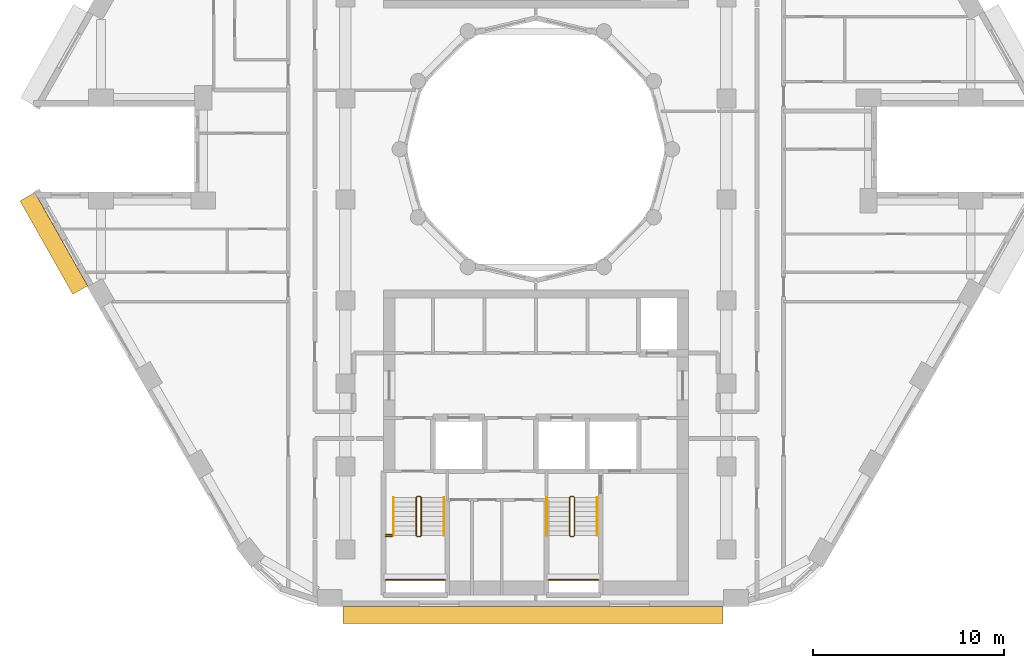
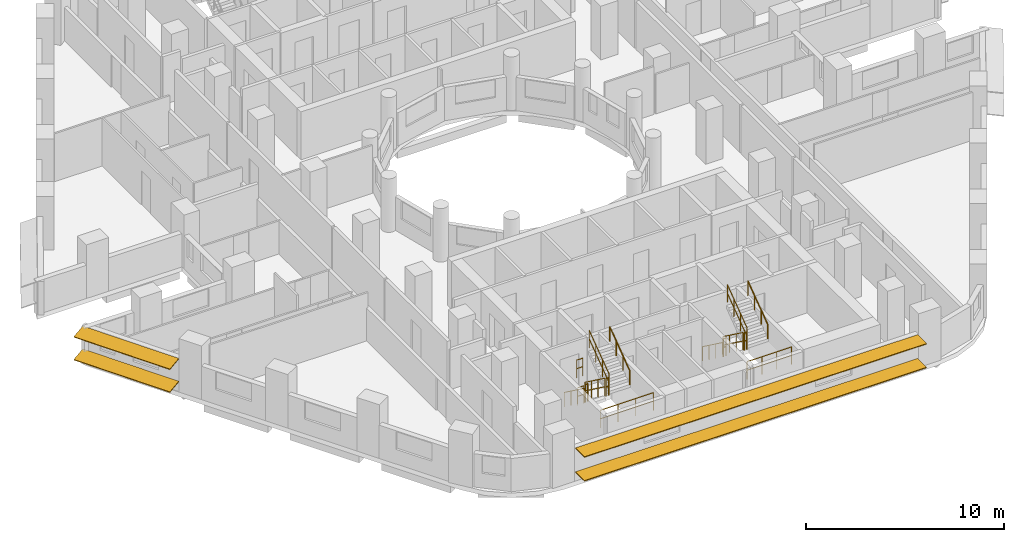
# One storey, part 12 of 14: 16 railings, 4 shading devices.
"""IFC4 building model written with IfcOpenShell, lengths in metres."""

import ifcopenshell
import ifcopenshell.guid

model = None  # the IFC model being written
_history = None  # IfcOwnerHistory: only IFC2X3 demands one
_inside = {}  # id of a spatial element -> (the spatial element, [elements in it])
_under = {}  # id of a project, library or spatial element -> (it, [spatial elements below it])
_declared = {}  # id of a project -> (the project, [libraries it declares])
_typed = {}  # id of a type object -> (the type object, [elements of that type])
_made_of = {}  # id of a material, layer set ... -> (it, [elements and type objects made of it])


def new_model(schema):
    """Start an empty IFC model of exactly this schema.

    Asked for "IFC4X3", IfcOpenShell would pick the latest addendum, in which some entities
    have other attributes; the version numbers below select the first issue.
    IFC2X3 requires an IfcOwnerHistory on every rooted entity: one is made here for all.
    """
    global model, _history
    if schema == "IFC4X3":
        model = ifcopenshell.file(schema_version=(4, 3, 0, 0))
    else:
        model = ifcopenshell.file(schema=schema)
    _inside.clear()
    _under.clear()
    _declared.clear()
    _typed.clear()
    _made_of.clear()
    _history = None
    if model.schema == "IFC2X3":
        org = make("IfcOrganization", Name="unknown")
        user = make(
            "IfcPersonAndOrganization",
            ThePerson=make("IfcPerson", FamilyName="unknown"),
            TheOrganization=org,
        )
        app = make(
            "IfcApplication",
            ApplicationDeveloper=org,
            Version="unknown",
            ApplicationFullName="unknown",
            ApplicationIdentifier="unknown",
        )
        _history = make(
            "IfcOwnerHistory",
            OwningUser=user,
            OwningApplication=app,
            ChangeAction="ADDED",
            CreationDate=0,
        )
    return model


def make(cls, **values):
    """One entity of the class cls with the attributes given. An attribute that is None is left unset."""
    return model.create_entity(
        cls, **{name: value for name, value in values.items() if value is not None}
    )


def rooted(cls, **values):
    """An entity with a GlobalId (a new one), such as an element, a storey or a relation."""
    return make(cls, GlobalId=ifcopenshell.guid.new(), OwnerHistory=_history, **values)


def si_unit(unit_type, name, prefix=None):
    """IfcSIUnit, for example si_unit("LENGTHUNIT", "METRE", prefix="MILLI")."""
    return make("IfcSIUnit", UnitType=unit_type, Prefix=prefix, Name=name)


def assignment(units):
    """IfcUnitAssignment: the units of a project."""
    return None if units is None else make("IfcUnitAssignment", Units=units)


def point(xyz):
    """IfcCartesianPoint."""
    return None if xyz is None else make("IfcCartesianPoint", Coordinates=xyz)


def direction(xyz):
    """IfcDirection."""
    return None if xyz is None else make("IfcDirection", DirectionRatios=xyz)


def frame(location, z_axis=None, x_axis=None):
    """IfcAxis2Placement3D, a coordinate frame: its origin and axes. An axis left out is left unset."""
    return make(
        "IfcAxis2Placement3D",
        Location=point(location),
        Axis=direction(z_axis),
        RefDirection=direction(x_axis),
    )


def frame_2d(location, x_axis=None):
    """IfcAxis2Placement2D, a coordinate frame in the plane: its origin and x axis."""
    return make(
        "IfcAxis2Placement2D", Location=point(location), RefDirection=direction(x_axis)
    )


def origin():
    """The frame at (0, 0, 0) with its axes left unset."""
    return frame((0.0, 0.0, 0.0))


def origin_2d():
    """The frame at (0, 0) in the plane with its x axis left unset."""
    return frame_2d((0.0, 0.0))


def place(relative_to, where):
    """IfcLocalPlacement: puts the frame where relative to a parent placement (None: the world)."""
    return make(
        "IfcLocalPlacement", PlacementRelTo=relative_to, RelativePlacement=where
    )


def context(
    kind, dimensions, precision=None, world=None, true_north=None, identifier=None
):
    """IfcGeometricRepresentationContext, for example the 3D "Model" context."""
    return make(
        "IfcGeometricRepresentationContext",
        ContextIdentifier=identifier,
        ContextType=kind,
        CoordinateSpaceDimension=dimensions,
        Precision=precision,
        WorldCoordinateSystem=world,
        TrueNorth=true_north,
    )


def subcontext(parent, identifier, kind, view, scale=None):
    """IfcGeometricRepresentationSubContext, for example "Body" below "Model"."""
    return make(
        "IfcGeometricRepresentationSubContext",
        ContextIdentifier=identifier,
        ContextType=kind,
        ParentContext=parent,
        TargetScale=scale,
        TargetView=view,
    )


def project(units=None, contexts=None):
    """IfcProject with its units and contexts."""
    return rooted(
        "IfcProject",
        Name="project",
        RepresentationContexts=contexts,
        UnitsInContext=assignment(units),
    )


def spatial(cls, under=None, at=None, **own):
    """A site, building, storey or space (cls), placed at a placement, below another one or the project."""
    s = rooted(cls, ObjectPlacement=at, **own)
    if under is not None:
        _under.setdefault(under.id(), (under, []))[1].append(s)
    return s


def profile(cls, at=None, kind="AREA", **sizes):
    """A parametric profile (cls). Its sizes go by their IFC names, for example OverallWidth=200.0."""
    return make(cls, ProfileType=kind, Position=at, **sizes)


def rectangle(**sizes):
    """IfcRectangleProfileDef."""
    return profile("IfcRectangleProfileDef", **sizes)


def circle(**sizes):
    """IfcCircleProfileDef."""
    return profile("IfcCircleProfileDef", **sizes)


def extrude(swept, where, along, depth):
    """IfcExtrudedAreaSolid: the profile swept, set in the frame where, extruded along a direction by depth."""
    return make(
        "IfcExtrudedAreaSolid",
        SweptArea=swept,
        Position=where,
        ExtrudedDirection=direction(along),
        Depth=depth,
    )


def shape(context_of_items, identifier, shape_type, items):
    """IfcShapeRepresentation: the items that make up one representation, for example the "Body"."""
    return make(
        "IfcShapeRepresentation",
        ContextOfItems=context_of_items,
        RepresentationIdentifier=identifier,
        RepresentationType=shape_type,
        Items=items,
    )


def material(Name=None, Category=None):
    """IfcMaterial."""
    return make("IfcMaterial", Name=Name, Category=Category)


def material_profile(
    of_material, cross_section, Name=None, Category=None, Priority=None
):
    """IfcMaterialProfile: a cross section and its material."""
    return make(
        "IfcMaterialProfile",
        Name=Name,
        Material=of_material,
        Profile=cross_section,
        Priority=Priority,
        Category=Category,
    )


def profile_set(profiles, Name=None, composite=None):
    """IfcMaterialProfileSet."""
    return make(
        "IfcMaterialProfileSet",
        Name=Name,
        MaterialProfiles=profiles,
        CompositeProfile=composite,
    )


def made_of(thing, what):
    """Note that an element or type object is made of a material, layer set ...; save() writes the relation."""
    if what is not None:
        _made_of.setdefault(what.id(), (what, []))[1].append(thing)
    return thing


def type_object(cls, material=None, **own):
    """A type object (cls), such as IfcWallType, which elements share."""
    return made_of(rooted(cls, **own), material)


def element(
    cls,
    number,
    at=None,
    inside=None,
    cuts=None,
    type_object=None,
    material=None,
    context=None,
    identifier="Body",
    shape_type=None,
    held_by="IfcProductDefinitionShape",
    body=None,
    shapes=None,
    **own,
):
    """One element of the class cls, such as IfcWall. Its Tag is "e" and its number.

    at: its placement. inside: the storey or other place that contains it. cuts: it is an
    opening in that element (IfcRelVoidsElement). A single representation is given by context,
    identifier, shape_type and body (its items); several are given by shapes. held_by: the class
    of the entity that holds the representations. save() writes the other relations.
    """
    e = rooted(cls, Tag="e%d" % number, ObjectPlacement=at, **own)
    if body is not None:
        shapes = [shape(context, identifier, shape_type, body)]
    if shapes is not None:
        e.Representation = make(held_by, Representations=shapes)
    if inside is not None:
        _inside.setdefault(inside.id(), (inside, []))[1].append(e)
    if cuts is not None:
        rooted(
            "IfcRelVoidsElement", RelatingBuildingElement=cuts, RelatedOpeningElement=e
        )
    if type_object is not None:
        _typed.setdefault(type_object.id(), (type_object, []))[1].append(e)
    return made_of(e, material)


def aggregate(whole, parts):
    """IfcRelAggregates: a whole, such as a stair, and the parts it consists of."""
    return rooted("IfcRelAggregates", RelatingObject=whole, RelatedObjects=parts)


def save(model, path):
    """Write the relations noted so far, then the file.

    IfcRelAggregates (storeys below a building ...), IfcRelContainedInSpatialStructure (elements
    in a storey), IfcRelDefinesByType, IfcRelAssociatesMaterial and IfcRelDeclares: one each for
    every whole, place, type object, material and project.
    """
    for whole, parts in _under.values():
        aggregate(whole, parts)
    for where, things in _inside.values():
        rooted(
            "IfcRelContainedInSpatialStructure",
            RelatedElements=things,
            RelatingStructure=where,
        )
    for kind, things in _typed.values():
        rooted("IfcRelDefinesByType", RelatedObjects=things, RelatingType=kind)
    for what, things in _made_of.values():
        rooted("IfcRelAssociatesMaterial", RelatedObjects=things, RelatingMaterial=what)
    for by, libraries in _declared.values():
        rooted("IfcRelDeclares", RelatingContext=by, RelatedDefinitions=libraries)
    model.write(path)


model = new_model("IFC4")

# Units and contexts
model_context = context("Model", 3, precision=1e-05, world=origin(), true_north=direction((0.0, 1.0)))
body_context = subcontext(model_context, "Body", "Model", "MODEL_VIEW")
ifc_project = project(units=[si_unit("LENGTHUNIT", "METRE"), si_unit("AREAUNIT", "SQUARE_METRE"), si_unit("VOLUMEUNIT", "CUBIC_METRE"), si_unit("PLANEANGLEUNIT", "RADIAN"), si_unit("MASSUNIT", "GRAM", prefix="KILO")], contexts=[model_context])

# Site, building, storey
site_placement = place(None, origin())
site = spatial("IfcSite", under=ifc_project, at=site_placement, CompositionType="ELEMENT")
building_placement = place(site_placement, origin())
building = spatial("IfcBuilding", under=site, at=building_placement, Name="Nakaniwa Court", CompositionType="ELEMENT")
storey_placement = place(building_placement, frame((0.0, 0.0, 166.800048828125)))
storey = spatial("IfcBuildingStorey", under=building, at=storey_placement, Name="L44", CompositionType="ELEMENT", Elevation=166.800048828125)

# Shading devices
ifc_material_1 = material(Name="Perforated charcoal ceramic louvre blade")
ifc_material_profile = material_profile(ifc_material_1, rectangle(XDim=0.89990234375, YDim=0.050048828125, at=origin_2d()), Name="Perforated ceramic louvre blade")
ifc_profile_set = profile_set([ifc_material_profile], Name="Perforated charcoal ceramic louvre blade")
shading_device_type = type_object("IfcShadingDeviceType", Name="Perforated ceramic louvre blade", PredefinedType="JALOUSIE", material=ifc_profile_set)
for number, where, z_axis, x_axis, name in (
    (1, (53.31689453125, 77.5078125, 0.550048828125), (0.49253187421, -0.870294405869, 0.0), (0.862649339692, 0.488205247786, 0.132256390257), "L44 perforated ceramic louvre blade w20 1"),
    (2, (53.31689453125, 77.5078125, 1.95556640625), (0.49253187421, -0.870294405869, 0.0), (0.862649339692, 0.488205247786, 0.132256390257), "L44 perforated ceramic louvre blade w20 2"),
):
    element("IfcShadingDevice", number, at=place(storey_placement, frame(where, z_axis=z_axis, x_axis=x_axis)), inside=storey, type_object=shading_device_type, Name=name, PredefinedType="JALOUSIE", context=body_context, shape_type="SweptSolid", body=[
        extrude(rectangle(XDim=0.89990234375, YDim=0.050048828125, at=origin_2d()), origin(), (0.0, 0.0, 1.0), 5.62646484375),
    ])
for number, where, z_axis, x_axis, name in (
    (3, (69.871337890625, 55.550048828125, 0.550048828125), (1.0, 0.0, 0.0), (0.0, 1.0, 0.0), "L44 perforated ceramic louvre blade w26 1"),
    (4, (69.871337890625, 55.550048828125, 2.014892578125), (1.0, 0.0, 0.0), (0.0, 1.0, 0.0), "L44 perforated ceramic louvre blade w26 2"),
):
    element("IfcShadingDevice", number, at=place(storey_placement, frame(where, z_axis=z_axis, x_axis=x_axis)), inside=storey, type_object=shading_device_type, Name=name, PredefinedType="JALOUSIE", context=body_context, shape_type="SweptSolid", body=[
        extrude(rectangle(XDim=0.89990234375, YDim=0.050048828125, at=origin_2d()), origin(), (0.0, 0.0, 1.0), 19.939697265625),
    ])

# Railings
ifc_material_2 = material(Name="Black powder coated steel guard", Category="steel")
railing_type_1 = type_object("IfcRailingType", Name="Stair guard 1100", PredefinedType="GUARDRAIL", material=ifc_material_2)
railing_1_placement = place(storey_placement, frame((73.72509765625, 61.72509765625, 0.183349609375)))
element("IfcRailing", 5, at=railing_1_placement, inside=storey, type_object=railing_type_1, Name="L44 ST3 stair guard 1", PredefinedType="GUARDRAIL", context=body_context, shape_type="SweptSolid", body=[
    extrude(circle(Radius=0.02392578125, at=origin_2d()), frame((0.0, 0.0, 1.076171875), z_axis=(0.0, -0.806426902644, 0.591333789573), x_axis=(1.0, 0.0, 0.0)), (0.0, 0.0, 1.0), 2.47998046875),
    extrude(circle(Radius=0.02392578125, at=origin_2d()), frame((0.0, 0.0, 0.550048828125), z_axis=(0.0, -0.806426902644, 0.591333789573), x_axis=(1.0, 0.0, 0.0)), (0.0, 0.0, 1.0), 2.47998046875),
    extrude(circle(Radius=0.02099609375, at=origin_2d()), origin(), (0.0, 0.0, 1.0), 1.052001953125),
    extrude(circle(Radius=0.02099609375, at=origin_2d()), frame((0.0, -0.666748046875, 0.48876953125)), (0.0, 0.0, 1.0), 1.052001953125),
    extrude(circle(Radius=0.02099609375, at=origin_2d()), frame((0.0, -1.333251953125, 0.977783203125)), (0.0, 0.0, 1.0), 1.052001953125),
    extrude(circle(Radius=0.02099609375, at=origin_2d()), frame((0.0, -2.0, 1.466552734375)), (0.0, 0.0, 1.0), 1.052001953125),
])
railing_2_placement = place(storey_placement, frame((73.77490234375, 59.675048828125, 1.64990234375)))
element("IfcRailing", 6, at=railing_2_placement, inside=storey, type_object=railing_type_1, Name="L44 ST3 stair guard 2", PredefinedType="GUARDRAIL", context=body_context, shape_type="SweptSolid", body=[
    extrude(circle(Radius=0.02392578125, at=origin_2d()), frame((0.0, 0.0, 1.076171875), z_axis=(1.0, 0.0, 0.0), x_axis=(0.0, 1.0, 0.0)), (0.0, 0.0, 1.0), 0.150146484375),
    extrude(circle(Radius=0.02392578125, at=origin_2d()), frame((0.0, 0.0, 0.550048828125), z_axis=(1.0, 0.0, 0.0), x_axis=(0.0, 1.0, 0.0)), (0.0, 0.0, 1.0), 0.150146484375),
    extrude(circle(Radius=0.02099609375, at=origin_2d()), origin(), (0.0, 0.0, 1.0), 1.052001953125),
    extrude(circle(Radius=0.02099609375, at=origin_2d()), frame((0.150146484375, 0.0, 0.0)), (0.0, 0.0, 1.0), 1.052001953125),
])
railing_3_placement = place(storey_placement, frame((73.97509765625, 59.72509765625, 1.833251953125)))
element("IfcRailing", 7, at=railing_3_placement, inside=storey, type_object=railing_type_1, Name="L44 ST3 stair guard 3", PredefinedType="GUARDRAIL", context=body_context, shape_type="SweptSolid", body=[
    extrude(circle(Radius=0.02392578125, at=origin_2d()), frame((0.0, 0.0, 1.076171875), z_axis=(0.0, 0.806379959628, 0.591397802423), x_axis=(-1.0, 0.0, 0.0)), (0.0, 0.0, 1.0), 2.480224609375),
    extrude(circle(Radius=0.02392578125, at=origin_2d()), frame((0.0, 0.0, 0.550048828125), z_axis=(0.0, 0.806379959628, 0.591397802423), x_axis=(-1.0, 0.0, 0.0)), (0.0, 0.0, 1.0), 2.480224609375),
    extrude(circle(Radius=0.02099609375, at=origin_2d()), origin(), (0.0, 0.0, 1.0), 1.052001953125),
    extrude(circle(Radius=0.02099609375, at=origin_2d()), frame((0.0, 0.666748046875, 0.489013671875)), (0.0, 0.0, 1.0), 1.052001953125),
    extrude(circle(Radius=0.02099609375, at=origin_2d()), frame((0.0, 1.333251953125, 0.977783203125)), (0.0, 0.0, 1.0), 1.052001953125),
    extrude(circle(Radius=0.02099609375, at=origin_2d()), frame((0.0, 2.0, 1.466796875)), (0.0, 0.0, 1.0), 1.052001953125),
])
railing_4_placement = place(storey_placement, frame((73.77490234375, 61.77490234375, 0.0)))
element("IfcRailing", 8, at=railing_4_placement, inside=storey, type_object=railing_type_1, Name="L44 ST3 stair guard 4", PredefinedType="GUARDRAIL", context=body_context, shape_type="SweptSolid", body=[
    extrude(circle(Radius=0.02392578125, at=origin_2d()), frame((0.0, 0.0, 1.076171875), z_axis=(1.0, 0.0, 0.0), x_axis=(0.0, 1.0, 0.0)), (0.0, 0.0, 1.0), 0.150146484375),
    extrude(circle(Radius=0.02392578125, at=origin_2d()), frame((0.0, 0.0, 0.550048828125), z_axis=(1.0, 0.0, 0.0), x_axis=(0.0, 1.0, 0.0)), (0.0, 0.0, 1.0), 0.150146484375),
    extrude(circle(Radius=0.02099609375, at=origin_2d()), origin(), (0.0, 0.0, 1.0), 1.052001953125),
    extrude(circle(Radius=0.02099609375, at=origin_2d()), frame((0.150146484375, 0.0, 0.0)), (0.0, 0.0, 1.0), 1.052001953125),
])
railing_5_placement = place(storey_placement, frame((72.125, 57.39990234375, 1.64990234375)))
element("IfcRailing", 9, at=railing_5_placement, inside=storey, type_object=railing_type_1, Name="L44 ST3 landing end guard 1", PredefinedType="GUARDRAIL", context=body_context, shape_type="SweptSolid", body=[
    extrude(circle(Radius=0.02392578125, at=origin_2d()), frame((0.0, 0.0, 1.076171875), z_axis=(1.0, 0.0, 0.0), x_axis=(0.0, 1.0, 0.0)), (0.0, 0.0, 1.0), 3.10009765625),
    extrude(circle(Radius=0.02392578125, at=origin_2d()), frame((0.0, 0.0, 0.550048828125), z_axis=(1.0, 0.0, 0.0), x_axis=(0.0, 1.0, 0.0)), (0.0, 0.0, 1.0), 3.10009765625),
    extrude(circle(Radius=0.02099609375, at=origin_2d()), origin(), (0.0, 0.0, 1.0), 1.052001953125),
    extrude(circle(Radius=0.02099609375, at=origin_2d()), frame((1.033447265625, 0.0, 0.0)), (0.0, 0.0, 1.0), 1.052001953125),
    extrude(circle(Radius=0.02099609375, at=origin_2d()), frame((2.066650390625, 0.0, 0.0)), (0.0, 0.0, 1.0), 1.052001953125),
    extrude(circle(Radius=0.02099609375, at=origin_2d()), frame((3.10009765625, 0.0, 0.0)), (0.0, 0.0, 1.0), 1.052001953125),
])
for number, where, name in (
    (10, (72.125, 59.675048828125, 1.64990234375), "L44 ST3 landing side guard 1W"),
    (11, (72.125, 59.77490234375, 3.300048828125), "L44 ST3 floor edge guard 1W"),
):
    element("IfcRailing", number, at=place(storey_placement, frame(where)), inside=storey, type_object=railing_type_1, Name=name, PredefinedType="GUARDRAIL", context=body_context, shape_type="SweptSolid", body=[
        extrude(circle(Radius=0.02392578125, at=origin_2d()), frame((0.0, 0.0, 1.076171875), z_axis=(1.0, 0.0, 0.0), x_axis=(0.0, 1.0, 0.0)), (0.0, 0.0, 1.0), 0.35009765625),
        extrude(circle(Radius=0.02392578125, at=origin_2d()), frame((0.0, 0.0, 0.550048828125), z_axis=(1.0, 0.0, 0.0), x_axis=(0.0, 1.0, 0.0)), (0.0, 0.0, 1.0), 0.35009765625),
        extrude(circle(Radius=0.02099609375, at=origin_2d()), origin(), (0.0, 0.0, 1.0), 1.052001953125),
        extrude(circle(Radius=0.02099609375, at=origin_2d()), frame((0.35009765625, 0.0, 0.0)), (0.0, 0.0, 1.0), 1.052001953125),
    ])
railing_6_placement = place(storey_placement, frame((81.77490234375, 61.72509765625, 0.183349609375)))
element("IfcRailing", 12, at=railing_6_placement, inside=storey, type_object=railing_type_1, Name="L44 ST4 stair guard 1", PredefinedType="GUARDRAIL", context=body_context, shape_type="SweptSolid", body=[
    extrude(circle(Radius=0.02392578125, at=origin_2d()), frame((0.0, 0.0, 1.076171875), z_axis=(0.0, -0.806426902644, 0.591333789573), x_axis=(1.0, 0.0, 0.0)), (0.0, 0.0, 1.0), 2.47998046875),
    extrude(circle(Radius=0.02392578125, at=origin_2d()), frame((0.0, 0.0, 0.550048828125), z_axis=(0.0, -0.806426902644, 0.591333789573), x_axis=(1.0, 0.0, 0.0)), (0.0, 0.0, 1.0), 2.47998046875),
    extrude(circle(Radius=0.02099609375, at=origin_2d()), origin(), (0.0, 0.0, 1.0), 1.052001953125),
    extrude(circle(Radius=0.02099609375, at=origin_2d()), frame((0.0, -0.666748046875, 0.48876953125)), (0.0, 0.0, 1.0), 1.052001953125),
    extrude(circle(Radius=0.02099609375, at=origin_2d()), frame((0.0, -1.333251953125, 0.977783203125)), (0.0, 0.0, 1.0), 1.052001953125),
    extrude(circle(Radius=0.02099609375, at=origin_2d()), frame((0.0, -2.0, 1.466552734375)), (0.0, 0.0, 1.0), 1.052001953125),
])
railing_7_placement = place(storey_placement, frame((81.824951171875, 59.675048828125, 1.64990234375)))
element("IfcRailing", 13, at=railing_7_placement, inside=storey, type_object=railing_type_1, Name="L44 ST4 stair guard 2", PredefinedType="GUARDRAIL", context=body_context, shape_type="SweptSolid", body=[
    extrude(circle(Radius=0.02392578125, at=origin_2d()), frame((0.0, 0.0, 1.076171875), z_axis=(1.0, 0.0, 0.0), x_axis=(0.0, 1.0, 0.0)), (0.0, 0.0, 1.0), 0.150146484375),
    extrude(circle(Radius=0.02392578125, at=origin_2d()), frame((0.0, 0.0, 0.550048828125), z_axis=(1.0, 0.0, 0.0), x_axis=(0.0, 1.0, 0.0)), (0.0, 0.0, 1.0), 0.150146484375),
    extrude(circle(Radius=0.02099609375, at=origin_2d()), origin(), (0.0, 0.0, 1.0), 1.052001953125),
    extrude(circle(Radius=0.02099609375, at=origin_2d()), frame((0.150146484375, 0.0, 0.0)), (0.0, 0.0, 1.0), 1.052001953125),
])
railing_8_placement = place(storey_placement, frame((82.02490234375, 59.72509765625, 1.833251953125)))
element("IfcRailing", 14, at=railing_8_placement, inside=storey, type_object=railing_type_1, Name="L44 ST4 stair guard 3", PredefinedType="GUARDRAIL", context=body_context, shape_type="SweptSolid", body=[
    extrude(circle(Radius=0.02392578125, at=origin_2d()), frame((0.0, 0.0, 1.076171875), z_axis=(0.0, 0.806379959628, 0.591397802423), x_axis=(-1.0, 0.0, 0.0)), (0.0, 0.0, 1.0), 2.480224609375),
    extrude(circle(Radius=0.02392578125, at=origin_2d()), frame((0.0, 0.0, 0.550048828125), z_axis=(0.0, 0.806379959628, 0.591397802423), x_axis=(-1.0, 0.0, 0.0)), (0.0, 0.0, 1.0), 2.480224609375),
    extrude(circle(Radius=0.02099609375, at=origin_2d()), origin(), (0.0, 0.0, 1.0), 1.052001953125),
    extrude(circle(Radius=0.02099609375, at=origin_2d()), frame((0.0, 0.666748046875, 0.489013671875)), (0.0, 0.0, 1.0), 1.052001953125),
    extrude(circle(Radius=0.02099609375, at=origin_2d()), frame((0.0, 1.333251953125, 0.977783203125)), (0.0, 0.0, 1.0), 1.052001953125),
    extrude(circle(Radius=0.02099609375, at=origin_2d()), frame((0.0, 2.0, 1.466796875)), (0.0, 0.0, 1.0), 1.052001953125),
])
railing_9_placement = place(storey_placement, frame((81.824951171875, 61.77490234375, 0.0)))
element("IfcRailing", 15, at=railing_9_placement, inside=storey, type_object=railing_type_1, Name="L44 ST4 stair guard 4", PredefinedType="GUARDRAIL", context=body_context, shape_type="SweptSolid", body=[
    extrude(circle(Radius=0.02392578125, at=origin_2d()), frame((0.0, 0.0, 1.076171875), z_axis=(1.0, 0.0, 0.0), x_axis=(0.0, 1.0, 0.0)), (0.0, 0.0, 1.0), 0.150146484375),
    extrude(circle(Radius=0.02392578125, at=origin_2d()), frame((0.0, 0.0, 0.550048828125), z_axis=(1.0, 0.0, 0.0), x_axis=(0.0, 1.0, 0.0)), (0.0, 0.0, 1.0), 0.150146484375),
    extrude(circle(Radius=0.02099609375, at=origin_2d()), origin(), (0.0, 0.0, 1.0), 1.052001953125),
    extrude(circle(Radius=0.02099609375, at=origin_2d()), frame((0.150146484375, 0.0, 0.0)), (0.0, 0.0, 1.0), 1.052001953125),
])
railing_10_placement = place(storey_placement, frame((80.675048828125, 57.39990234375, 1.64990234375)))
element("IfcRailing", 16, at=railing_10_placement, inside=storey, type_object=railing_type_1, Name="L44 ST4 landing end guard 1", PredefinedType="GUARDRAIL", context=body_context, shape_type="SweptSolid", body=[
    extrude(circle(Radius=0.02392578125, at=origin_2d()), frame((0.0, 0.0, 1.076171875), z_axis=(1.0, 0.0, 0.0), x_axis=(0.0, 1.0, 0.0)), (0.0, 0.0, 1.0), 2.599853515625),
    extrude(circle(Radius=0.02392578125, at=origin_2d()), frame((0.0, 0.0, 0.550048828125), z_axis=(1.0, 0.0, 0.0), x_axis=(0.0, 1.0, 0.0)), (0.0, 0.0, 1.0), 2.599853515625),
    extrude(circle(Radius=0.02099609375, at=origin_2d()), origin(), (0.0, 0.0, 1.0), 1.052001953125),
    extrude(circle(Radius=0.02099609375, at=origin_2d()), frame((0.86669921875, 0.0, 0.0)), (0.0, 0.0, 1.0), 1.052001953125),
    extrude(circle(Radius=0.02099609375, at=origin_2d()), frame((1.733154296875, 0.0, 0.0)), (0.0, 0.0, 1.0), 1.052001953125),
    extrude(circle(Radius=0.02099609375, at=origin_2d()), frame((2.599853515625, 0.0, 0.0)), (0.0, 0.0, 1.0), 1.052001953125),
])
ifc_material_3 = material(Name="Black powder coated steel handrail", Category="steel")
railing_type_2 = type_object("IfcRailingType", Name="Stair handrail 900", PredefinedType="HANDRAIL", material=ifc_material_3)
railing_11_placement = place(storey_placement, frame((72.52490234375, 61.72509765625, 0.183349609375)))
element("IfcRailing", 17, at=railing_11_placement, inside=storey, type_object=railing_type_2, Name="L44 ST3 stair handrail 1", PredefinedType="HANDRAIL", context=body_context, shape_type="SweptSolid", body=[
    extrude(circle(Radius=0.02392578125, at=origin_2d()), frame((0.0, 0.0, 0.8759765625), z_axis=(0.0, -0.806426902644, 0.591333789573), x_axis=(1.0, 0.0, 0.0)), (0.0, 0.0, 1.0), 2.47998046875),
    extrude(circle(Radius=0.02099609375, at=origin_2d()), origin(), (0.0, 0.0, 1.0), 0.851806640625),
    extrude(circle(Radius=0.02099609375, at=origin_2d()), frame((0.0, -0.666748046875, 0.48876953125)), (0.0, 0.0, 1.0), 0.851806640625),
    extrude(circle(Radius=0.02099609375, at=origin_2d()), frame((0.0, -1.333251953125, 0.977783203125)), (0.0, 0.0, 1.0), 0.851806640625),
    extrude(circle(Radius=0.02099609375, at=origin_2d()), frame((0.0, -2.0, 1.466552734375)), (0.0, 0.0, 1.0), 0.851806640625),
])
railing_12_placement = place(storey_placement, frame((75.175048828125, 59.72509765625, 1.833251953125)))
element("IfcRailing", 18, at=railing_12_placement, inside=storey, type_object=railing_type_2, Name="L44 ST3 stair handrail 2", PredefinedType="HANDRAIL", context=body_context, shape_type="SweptSolid", body=[
    extrude(circle(Radius=0.02392578125, at=origin_2d()), frame((0.0, 0.0, 0.8759765625), z_axis=(0.0, 0.806379959628, 0.591397802423), x_axis=(-1.0, 0.0, 0.0)), (0.0, 0.0, 1.0), 2.480224609375),
    extrude(circle(Radius=0.02099609375, at=origin_2d()), origin(), (0.0, 0.0, 1.0), 0.851806640625),
    extrude(circle(Radius=0.02099609375, at=origin_2d()), frame((0.0, 0.666748046875, 0.489013671875)), (0.0, 0.0, 1.0), 0.851806640625),
    extrude(circle(Radius=0.02099609375, at=origin_2d()), frame((0.0, 1.333251953125, 0.977783203125)), (0.0, 0.0, 1.0), 0.851806640625),
    extrude(circle(Radius=0.02099609375, at=origin_2d()), frame((0.0, 2.0, 1.466796875)), (0.0, 0.0, 1.0), 0.851806640625),
])
railing_13_placement = place(storey_placement, frame((80.574951171875, 61.72509765625, 0.183349609375)))
element("IfcRailing", 19, at=railing_13_placement, inside=storey, type_object=railing_type_2, Name="L44 ST4 stair handrail 1", PredefinedType="HANDRAIL", context=body_context, shape_type="SweptSolid", body=[
    extrude(circle(Radius=0.02392578125, at=origin_2d()), frame((0.0, 0.0, 0.8759765625), z_axis=(0.0, -0.806426902644, 0.591333789573), x_axis=(1.0, 0.0, 0.0)), (0.0, 0.0, 1.0), 2.47998046875),
    extrude(circle(Radius=0.02099609375, at=origin_2d()), origin(), (0.0, 0.0, 1.0), 0.851806640625),
    extrude(circle(Radius=0.02099609375, at=origin_2d()), frame((0.0, -0.666748046875, 0.48876953125)), (0.0, 0.0, 1.0), 0.851806640625),
    extrude(circle(Radius=0.02099609375, at=origin_2d()), frame((0.0, -1.333251953125, 0.977783203125)), (0.0, 0.0, 1.0), 0.851806640625),
    extrude(circle(Radius=0.02099609375, at=origin_2d()), frame((0.0, -2.0, 1.466552734375)), (0.0, 0.0, 1.0), 0.851806640625),
])
railing_14_placement = place(storey_placement, frame((83.22509765625, 59.72509765625, 1.833251953125)))
element("IfcRailing", 20, at=railing_14_placement, inside=storey, type_object=railing_type_2, Name="L44 ST4 stair handrail 2", PredefinedType="HANDRAIL", context=body_context, shape_type="SweptSolid", body=[
    extrude(circle(Radius=0.02392578125, at=origin_2d()), frame((0.0, 0.0, 0.8759765625), z_axis=(0.0, 0.806379959628, 0.591397802423), x_axis=(-1.0, 0.0, 0.0)), (0.0, 0.0, 1.0), 2.480224609375),
    extrude(circle(Radius=0.02099609375, at=origin_2d()), origin(), (0.0, 0.0, 1.0), 0.851806640625),
    extrude(circle(Radius=0.02099609375, at=origin_2d()), frame((0.0, 0.666748046875, 0.489013671875)), (0.0, 0.0, 1.0), 0.851806640625),
    extrude(circle(Radius=0.02099609375, at=origin_2d()), frame((0.0, 1.333251953125, 0.977783203125)), (0.0, 0.0, 1.0), 0.851806640625),
    extrude(circle(Radius=0.02099609375, at=origin_2d()), frame((0.0, 2.0, 1.466796875)), (0.0, 0.0, 1.0), 0.851806640625),
])

save(model, "model.ifc")
